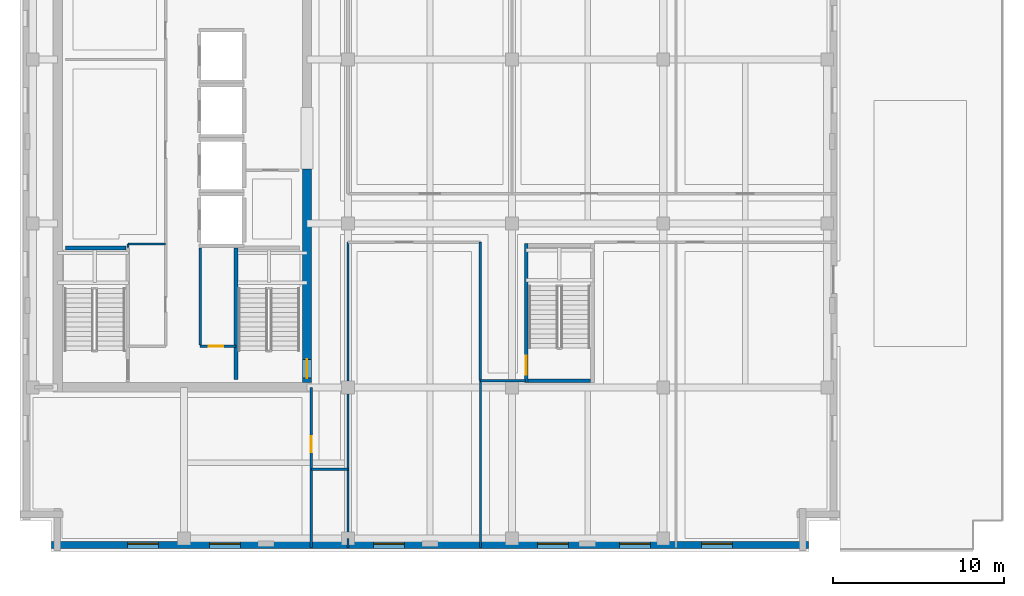
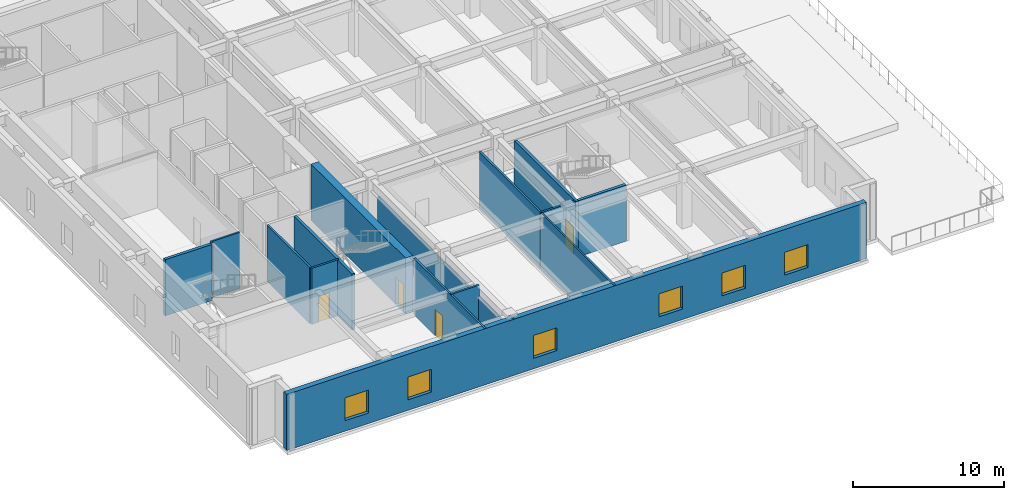
# One storey, part 3 of 11: 17 walls, 6 windows, 4 doors, 10 openings.
"""IFC4 building model written with IfcOpenShell, lengths in metres."""

from ifc_helpers import new_model, si_unit, direction, frame, frame_2d, origin, place, context, subcontext, project, spatial, rectangle, extrude, material, layer, layer_set, type_object, element, fill, save


model = new_model("IFC4")

# Units and contexts
model_context = context("Model", 3, precision=1e-05, world=origin(), true_north=direction((0.0, 1.0)))
body_context = subcontext(model_context, "Body", "Model", "MODEL_VIEW")
ifc_project = project(units=[si_unit("LENGTHUNIT", "METRE"), si_unit("AREAUNIT", "SQUARE_METRE"), si_unit("VOLUMEUNIT", "CUBIC_METRE"), si_unit("PLANEANGLEUNIT", "RADIAN"), si_unit("MASSUNIT", "GRAM", prefix="KILO")], contexts=[model_context])

# Site, building, storey
site_placement = place(None, origin())
site = spatial("IfcSite", under=ifc_project, at=site_placement, CompositionType="ELEMENT")
building_placement = place(site_placement, origin())
building = spatial("IfcBuilding", under=site, at=building_placement, Name="Norrvale University Quadrangle", CompositionType="ELEMENT")
storey_placement = place(building_placement, frame((0.0, 0.0, 261.0)))
storey = spatial("IfcBuildingStorey", under=building, at=storey_placement, Name="L66", CompositionType="ELEMENT", Elevation=261.0)

# Wall, opening, door
ifc_material_1 = material(Name="Concrete C60/75", Category="concrete")
ifc_layer_1 = layer(ifc_material_1, 0.550048828125, Name="Concrete C60/75")
ifc_layer_set_1 = layer_set([ifc_layer_1], Name="Concrete C60/75")
wall_type_1 = type_object("IfcWallType", Name="Wall Core 550", PredefinedType="SHEAR", material=ifc_layer_set_1)
wall_1_placement = place(storey_placement, frame((16.800048828125, 9.875, 0.0), z_axis=(0.0, 0.0, 1.0), x_axis=(0.0, 1.0, 0.0)))
wall_1 = element("IfcWall", 1, at=wall_1_placement, inside=storey, type_object=wall_type_1, Name="Tower Core Shear Wall L66-E1", PredefinedType="SHEAR", context=body_context, shape_type="SweptSolid", body=[
    extrude(rectangle(XDim=12.52490234375, YDim=0.550048828125, at=frame_2d((6.262451171875, 0.0))), origin(), (0.0, 0.0, 1.0), 4.5400390625),
])
opening_1_placement = place(wall_1_placement, frame((0.264892578125, 0.0, 0.0)))
opening_1 = element("IfcOpeningElement", 2, at=opening_1_placement, cuts=wall_1, Name="Opening D02", PredefinedType="OPENING", context=body_context, shape_type="SweptSolid", body=[
    extrude(rectangle(XDim=1.10009765625, YDim=2.199951171875, at=frame_2d((0.550048828125, 1.10009765625))), frame((0.0, 0.287109375, 0.0), z_axis=(0.0, -1.0, 0.0), x_axis=(1.0, 0.0, 0.0)), (0.0, 0.0, 1.0), 0.573974609375),
])
ifc_material_2 = material(Name="Hollow Steel 350W Fire Door", Category="steel")
door_type_1 = type_object("IfcDoorType", Name="Door Stair Exit 1100x2200", OperationType="NOTDEFINED", PredefinedType="DOOR", material=ifc_material_2)
door_1_placement = place(opening_1_placement, origin())
door_1 = element("IfcDoor", 3, at=door_1_placement, inside=storey, type_object=door_type_1, Name="Door Stair Exit 1100x2200 DR-L66-ST03", OperationType="SINGLE_SWING_LEFT", OverallHeight=2.199951171875, OverallWidth=1.10009765625, PredefinedType="DOOR", context=body_context, shape_type="SweptSolid", body=[
    extrude(rectangle(XDim=1.10009765625, YDim=2.199951171875, at=frame_2d((0.550048828125, 1.10009765625))), frame((0.0, 0.02490234375, 0.0), z_axis=(0.0, -1.0, 0.0), x_axis=(1.0, 0.0, 0.0)), (0.0, 0.0, 1.0), 0.050048828125),
])
fill(opening_1, door_1)

# Walls
ifc_material_3 = material(Name="Standard Academic Gypsum Partition")
ifc_layer_2 = layer(ifc_material_3, 0.125, Name="Standard Academic Gypsum Partition")
ifc_layer_set_2 = layer_set([ifc_layer_2], Name="Standard Academic Gypsum Partition")
wall_type_2 = type_object("IfcWallType", Name="Wall Gypsum Academic 125", PredefinedType="PARTITIONING", material=ifc_layer_set_2)
wall_2_placement = place(storey_placement, frame((6.320068359375, 17.800048828125, 0.0), z_axis=(0.0, 0.0, 1.0), x_axis=(0.0, 1.0, 0.0)))
element("IfcWall", 4, at=wall_2_placement, inside=storey, type_object=wall_type_2, Name="Interior Partition WL-L66-REC-L1", PredefinedType="PARTITIONING", context=body_context, shape_type="SweptSolid", body=[
    extrude(rectangle(XDim=0.199951171875, YDim=0.125, at=frame_2d((0.10009765625, 0.0))), origin(), (0.0, 0.0, 1.0), 4.5400390625),
])
wall_3_placement = place(storey_placement, frame((6.320068359375, 18.0, 0.0), z_axis=(0.0, 0.0, 1.0), x_axis=(1.0, 0.0, 0.0)))
element("IfcWall", 5, at=wall_3_placement, inside=storey, type_object=wall_type_2, Name="Interior Partition WL-L66-REC-L2", PredefinedType="PARTITIONING", context=body_context, shape_type="SweptSolid", body=[
    extrude(rectangle(XDim=2.199951171875, YDim=0.125, at=frame_2d((1.10009765625, 0.0))), origin(), (0.0, 0.0, 1.0), 4.5400390625),
])
wall_4_placement = place(storey_placement, frame((19.199951171875, 0.219970703125, 0.0), z_axis=(0.0, 0.0, 1.0), x_axis=(0.0, 1.0, 0.0)))
element("IfcWall", 6, at=wall_4_placement, inside=storey, type_object=wall_type_2, Name="Interior Partition WL-L66-SE-W0", PredefinedType="PARTITIONING", context=body_context, shape_type="SweptSolid", body=[
    extrude(rectangle(XDim=0.530029296875, YDim=0.125, at=frame_2d((0.26513671875, 0.0))), origin(), (0.0, 0.0, 1.0), 4.5400390625),
])
wall_5_placement = place(storey_placement, frame((19.199951171875, 0.75, 0.0), z_axis=(0.0, 0.0, 1.0), x_axis=(0.0, 1.0, 0.0)))
element("IfcWall", 7, at=wall_5_placement, inside=storey, type_object=wall_type_2, Name="Interior Partition WL-L66-SE-W0-B2", PredefinedType="PARTITIONING", context=body_context, shape_type="SweptSolid", body=[
    extrude(rectangle(XDim=17.35009765625, YDim=0.125, at=frame_2d((8.675048828125, 0.0))), origin(), (0.0, 0.0, 1.0), 3.6279296875),
])
wall_6_placement = place(storey_placement, frame((26.949951171875, 0.219970703125, 0.0), z_axis=(0.0, 0.0, 1.0), x_axis=(0.0, 1.0, 0.0)))
element("IfcWall", 8, at=wall_6_placement, inside=storey, type_object=wall_type_2, Name="Interior Partition WL-L66-SEP1A", PredefinedType="PARTITIONING", context=body_context, shape_type="SweptSolid", body=[
    extrude(rectangle(XDim=9.780029296875, YDim=0.125, at=frame_2d((4.89013671875, 0.0))), origin(), (0.0, 0.0, 1.0), 4.5400390625),
])

# Wall, opening, door
ifc_material_4 = material(Name="Fire-Rated Gypsum Stud Partition")
ifc_layer_3 = layer(ifc_material_4, 0.14990234375, Name="Fire-Rated Gypsum Stud Partition")
ifc_layer_set_3 = layer_set([ifc_layer_3], Name="Fire-Rated Gypsum Stud Partition")
wall_type_3 = type_object("IfcWallType", Name="Wall Gypsum Corridor 150", PredefinedType="PARTITIONING", material=ifc_layer_set_3)
wall_7_placement = place(storey_placement, frame((10.550048828125, 12.02001953125, 0.0), z_axis=(0.0, 0.0, 1.0), x_axis=(1.0, 0.0, 0.0)))
wall_7 = element("IfcWall", 9, at=wall_7_placement, inside=storey, type_object=wall_type_3, Name="Interior Partition WL-L66-SC-NR", PredefinedType="PARTITIONING", context=body_context, shape_type="SweptSolid", body=[
    extrude(rectangle(XDim=2.079833984375, YDim=0.14990234375, at=frame_2d((1.0400390625, 0.0))), origin(), (0.0, 0.0, 1.0), 4.5400390625),
])
opening_2_placement = place(wall_7_placement, frame((0.5, 0.0, 0.0)))
opening_2 = element("IfcOpeningElement", 10, at=opening_2_placement, cuts=wall_7, Name="Opening D10", PredefinedType="OPENING", context=body_context, shape_type="SweptSolid", body=[
    extrude(rectangle(XDim=0.85009765625, YDim=2.10009765625, at=frame_2d((0.425048828125, 1.050048828125))), frame((0.0, 0.0869140625, 0.0), z_axis=(0.0, -1.0, 0.0), x_axis=(1.0, 0.0, 0.0)), (0.0, 0.0, 1.0), 0.173828125),
])
ifc_material_5 = material(Name="Hollow Steel 350W Riser Fire Door", Category="steel")
door_type_2 = type_object("IfcDoorType", Name="Door Riser 850x2100", OperationType="NOTDEFINED", PredefinedType="DOOR", material=ifc_material_5)
door_2_placement = place(opening_2_placement, origin())
door_2 = element("IfcDoor", 11, at=door_2_placement, inside=storey, type_object=door_type_2, Name="Door Riser 850x2100 DR-L66-IDF", OperationType="SINGLE_SWING_RIGHT", OverallHeight=2.10009765625, OverallWidth=0.85009765625, PredefinedType="DOOR", context=body_context, shape_type="SweptSolid", body=[
    extrude(rectangle(XDim=0.85009765625, YDim=2.10009765625, at=frame_2d((0.425048828125, 1.050048828125))), frame((0.0, 0.02490234375, 0.0), z_axis=(0.0, -1.0, 0.0), x_axis=(1.0, 0.0, 0.0)), (0.0, 0.0, 1.0), 0.050048828125),
])
fill(opening_2, door_2)

# Walls
wall_8_placement = place(storey_placement, frame((10.550048828125, 12.094970703125, 0.0), z_axis=(0.0, 0.0, 1.0), x_axis=(0.0, 1.0, 0.0)))
element("IfcWall", 12, at=wall_8_placement, inside=storey, type_object=wall_type_3, Name="Interior Partition WL-L66-SC-WR", PredefinedType="PARTITIONING", context=body_context, shape_type="SweptSolid", body=[
    extrude(rectangle(XDim=5.679931640625, YDim=0.14990234375, at=frame_2d((2.83984375, 0.0))), origin(), (0.0, 0.0, 1.0), 4.5400390625),
])
wall_9_placement = place(storey_placement, frame((17.050048828125, 4.800048828125, 0.0), z_axis=(0.0, 0.0, 1.0), x_axis=(1.0, 0.0, 0.0)))
element("IfcWall", 13, at=wall_9_placement, inside=storey, type_object=wall_type_3, Name="Interior Partition WL-L66-CSP-S", PredefinedType="PARTITIONING", context=body_context, shape_type="SweptSolid", body=[
    extrude(rectangle(XDim=2.14990234375, YDim=0.14990234375, at=frame_2d((1.074951171875, 0.0))), origin(), (0.0, 0.0, 1.0), 4.5400390625),
])

# Wall, opening, door
wall_10_placement = place(storey_placement, frame((17.050048828125, 0.219970703125, 0.0), z_axis=(0.0, 0.0, 1.0), x_axis=(0.0, 1.0, 0.0)))
wall_10 = element("IfcWall", 14, at=wall_10_placement, inside=storey, type_object=wall_type_3, Name="Interior Partition WL-L66-SW-E", PredefinedType="PARTITIONING", context=body_context, shape_type="SweptSolid", body=[
    extrude(rectangle(XDim=9.380126953125, YDim=0.14990234375, at=frame_2d((4.68994140625, 0.0))), origin(), (0.0, 0.0, 1.0), 4.5400390625),
])
opening_3_placement = place(wall_10_placement, frame((5.580078125, 0.0, 0.0)))
opening_3 = element("IfcOpeningElement", 15, at=opening_3_placement, cuts=wall_10, Name="Opening D07", PredefinedType="OPENING", context=body_context, shape_type="SweptSolid", body=[
    extrude(rectangle(XDim=0.949951171875, YDim=2.14990234375, at=frame_2d((0.47509765625, 1.074951171875))), frame((0.0, 0.0869140625, 0.0), z_axis=(0.0, -1.0, 0.0), x_axis=(1.0, 0.0, 0.0)), (0.0, 0.0, 1.0), 0.173828125),
])
ifc_material_6 = material(Name="Solid-Core Maple Door", Category="wood")
door_type_3 = type_object("IfcDoorType", Name="Door Office 950x2150", OperationType="NOTDEFINED", PredefinedType="DOOR", material=ifc_material_6)
door_3_placement = place(opening_3_placement, origin())
door_3 = element("IfcDoor", 16, at=door_3_placement, inside=storey, type_object=door_type_3, Name="Door Office 950x2150 DR-L66-SW1", OperationType="SINGLE_SWING_LEFT", OverallHeight=2.14990234375, OverallWidth=0.949951171875, PredefinedType="DOOR", context=body_context, shape_type="SweptSolid", body=[
    extrude(rectangle(XDim=0.949951171875, YDim=2.14990234375, at=frame_2d((0.47509765625, 1.074951171875))), frame((0.0, 0.02490234375, 0.0), z_axis=(0.0, -1.0, 0.0), x_axis=(1.0, 0.0, 0.0)), (0.0, 0.0, 1.0), 0.050048828125),
])
fill(opening_3, door_3)

# Walls
wall_11_placement = place(storey_placement, frame((26.949951171875, 10.0, 0.0), z_axis=(0.0, 0.0, 1.0), x_axis=(0.0, 1.0, 0.0)))
element("IfcWall", 17, at=wall_11_placement, inside=storey, type_object=wall_type_3, Name="Interior Partition WL-L66-SEP1B", PredefinedType="PARTITIONING", context=body_context, shape_type="SweptSolid", body=[
    extrude(rectangle(XDim=8.10009765625, YDim=0.14990234375, at=frame_2d((4.050048828125, 0.0))), origin(), (0.0, 0.0, 1.0), 4.5400390625),
])
wall_12_placement = place(storey_placement, frame((26.949951171875, 10.0, 0.0), z_axis=(0.0, 0.0, 1.0), x_axis=(1.0, 0.0, 0.0)))
element("IfcWall", 18, at=wall_12_placement, inside=storey, type_object=wall_type_3, Name="Interior Partition WL-L66-SEP1C", PredefinedType="PARTITIONING", context=body_context, shape_type="SweptSolid", body=[
    extrude(rectangle(XDim=2.630126953125, YDim=0.14990234375, at=frame_2d((1.31494140625, 0.0))), origin(), (0.0, 0.0, 1.0), 4.5400390625),
])

# Wall, openings, windows
ifc_material_7 = material(Name="Red Manganese Brick Masonry", Category="masonry")
ifc_layer_4 = layer(ifc_material_7, 0.39990234375, Name="Red Manganese Brick Masonry")
ifc_layer_set_4 = layer_set([ifc_layer_4], Name="Red Manganese Brick Masonry")
wall_type_4 = type_object("IfcWallType", Name="Wall Red Brick 400", PredefinedType="SOLIDWALL", material=ifc_layer_set_4)
wall_13_placement = place(storey_placement, frame((1.840087890625, 0.3798828125, 0.0), z_axis=(0.0, 0.0, 1.0), x_axis=(1.0, 0.0, 0.0)))
wall_13 = element("IfcWall", 19, at=wall_13_placement, inside=storey, type_object=wall_type_4, Name="Exterior Brick Facade Wall L66-01.1", PredefinedType="SOLIDWALL", context=body_context, shape_type="SweptSolid", body=[
    extrude(rectangle(XDim=44.31982421875, YDim=0.39990234375, at=frame_2d((22.159912109375, 0.0))), origin(), (0.0, 0.0, 1.0), 4.5400390625),
])
opening_4_placement = place(wall_13_placement, frame((4.4599609375, 0.0, 0.85009765625)))
opening_4 = element("IfcOpeningElement", 20, at=opening_4_placement, cuts=wall_13, Name="Opening W01", PredefinedType="OPENING", context=body_context, shape_type="SweptSolid", body=[
    extrude(rectangle(XDim=1.800048828125, YDim=1.85009765625, at=frame_2d((0.89990234375, 0.925048828125))), frame((0.0, 0.2119140625, 0.0), z_axis=(0.0, -1.0, 0.0), x_axis=(1.0, 0.0, 0.0)), (0.0, 0.0, 1.0), 0.423828125),
])
opening_5_placement = place(wall_13_placement, frame((9.260009765625, 0.0, 0.85009765625)))
opening_5 = element("IfcOpeningElement", 21, at=opening_5_placement, cuts=wall_13, Name="Opening W01", PredefinedType="OPENING", context=body_context, shape_type="SweptSolid", body=[
    extrude(rectangle(XDim=1.800048828125, YDim=1.85009765625, at=frame_2d((0.89990234375, 0.925048828125))), frame((0.0, 0.2119140625, 0.0), z_axis=(0.0, -1.0, 0.0), x_axis=(1.0, 0.0, 0.0)), (0.0, 0.0, 1.0), 0.423828125),
])
opening_6_placement = place(wall_13_placement, frame((18.860107421875, 0.0, 0.85009765625)))
opening_6 = element("IfcOpeningElement", 22, at=opening_6_placement, cuts=wall_13, Name="Opening W01", PredefinedType="OPENING", context=body_context, shape_type="SweptSolid", body=[
    extrude(rectangle(XDim=1.800048828125, YDim=1.85009765625, at=frame_2d((0.89990234375, 0.925048828125))), frame((0.0, 0.2119140625, 0.0), z_axis=(0.0, -1.0, 0.0), x_axis=(1.0, 0.0, 0.0)), (0.0, 0.0, 1.0), 0.423828125),
])
opening_7_placement = place(wall_13_placement, frame((28.4599609375, 0.0, 0.85009765625)))
opening_7 = element("IfcOpeningElement", 23, at=opening_7_placement, cuts=wall_13, Name="Opening W01", PredefinedType="OPENING", context=body_context, shape_type="SweptSolid", body=[
    extrude(rectangle(XDim=1.800048828125, YDim=1.85009765625, at=frame_2d((0.89990234375, 0.925048828125))), frame((0.0, 0.2119140625, 0.0), z_axis=(0.0, -1.0, 0.0), x_axis=(1.0, 0.0, 0.0)), (0.0, 0.0, 1.0), 0.423828125),
])
opening_8_placement = place(wall_13_placement, frame((33.260009765625, 0.0, 0.85009765625)))
opening_8 = element("IfcOpeningElement", 24, at=opening_8_placement, cuts=wall_13, Name="Opening W01", PredefinedType="OPENING", context=body_context, shape_type="SweptSolid", body=[
    extrude(rectangle(XDim=1.800048828125, YDim=1.85009765625, at=frame_2d((0.89990234375, 0.925048828125))), frame((0.0, 0.2119140625, 0.0), z_axis=(0.0, -1.0, 0.0), x_axis=(1.0, 0.0, 0.0)), (0.0, 0.0, 1.0), 0.423828125),
])
opening_9_placement = place(wall_13_placement, frame((38.06005859375, 0.0, 0.85009765625)))
opening_9 = element("IfcOpeningElement", 25, at=opening_9_placement, cuts=wall_13, Name="Opening W01", PredefinedType="OPENING", context=body_context, shape_type="SweptSolid", body=[
    extrude(rectangle(XDim=1.800048828125, YDim=1.85009765625, at=frame_2d((0.89990234375, 0.925048828125))), frame((0.0, 0.2119140625, 0.0), z_axis=(0.0, -1.0, 0.0), x_axis=(1.0, 0.0, 0.0)), (0.0, 0.0, 1.0), 0.423828125),
])
ifc_material_8 = material(Name="Triple Low-E Argon Glazing", Category="glass")
window_type = type_object("IfcWindowType", Name="Window Academic 1800x2300", PartitioningType="DOUBLE_PANEL_VERTICAL", PredefinedType="WINDOW", material=ifc_material_8)
window_1_placement = place(opening_4_placement, origin())
window_1 = element("IfcWindow", 26, at=window_1_placement, inside=storey, type_object=window_type, Name="Window Academic 1800x2300 WIN-L66-E01-1-01", OverallHeight=1.85009765625, OverallWidth=1.800048828125, PartitioningType="DOUBLE_PANEL_VERTICAL", PredefinedType="WINDOW", context=body_context, shape_type="SweptSolid", body=[
    extrude(rectangle(XDim=1.800048828125, YDim=1.85009765625, at=frame_2d((0.89990234375, 0.925048828125))), frame((0.0, 0.110107421875, 0.0), z_axis=(0.0, -1.0, 0.0), x_axis=(1.0, 0.0, 0.0)), (0.0, 0.0, 1.0), 0.06005859375),
])
fill(opening_4, window_1)
window_2_placement = place(opening_5_placement, origin())
window_2 = element("IfcWindow", 27, at=window_2_placement, inside=storey, type_object=window_type, Name="Window Academic 1800x2300 WIN-L66-E01-1-02", OverallHeight=1.85009765625, OverallWidth=1.800048828125, PartitioningType="DOUBLE_PANEL_VERTICAL", PredefinedType="WINDOW", context=body_context, shape_type="SweptSolid", body=[
    extrude(rectangle(XDim=1.800048828125, YDim=1.85009765625, at=frame_2d((0.89990234375, 0.925048828125))), frame((0.0, 0.110107421875, 0.0), z_axis=(0.0, -1.0, 0.0), x_axis=(1.0, 0.0, 0.0)), (0.0, 0.0, 1.0), 0.06005859375),
])
fill(opening_5, window_2)
window_3_placement = place(opening_6_placement, origin())
window_3 = element("IfcWindow", 28, at=window_3_placement, inside=storey, type_object=window_type, Name="Window Academic 1800x2300 WIN-L66-E01-1-03", OverallHeight=1.85009765625, OverallWidth=1.800048828125, PartitioningType="DOUBLE_PANEL_VERTICAL", PredefinedType="WINDOW", context=body_context, shape_type="SweptSolid", body=[
    extrude(rectangle(XDim=1.800048828125, YDim=1.85009765625, at=frame_2d((0.89990234375, 0.925048828125))), frame((0.0, 0.110107421875, 0.0), z_axis=(0.0, -1.0, 0.0), x_axis=(1.0, 0.0, 0.0)), (0.0, 0.0, 1.0), 0.06005859375),
])
fill(opening_6, window_3)
window_4_placement = place(opening_7_placement, origin())
window_4 = element("IfcWindow", 29, at=window_4_placement, inside=storey, type_object=window_type, Name="Window Academic 1800x2300 WIN-L66-E01-1-04", OverallHeight=1.85009765625, OverallWidth=1.800048828125, PartitioningType="DOUBLE_PANEL_VERTICAL", PredefinedType="WINDOW", context=body_context, shape_type="SweptSolid", body=[
    extrude(rectangle(XDim=1.800048828125, YDim=1.85009765625, at=frame_2d((0.89990234375, 0.925048828125))), frame((0.0, 0.110107421875, 0.0), z_axis=(0.0, -1.0, 0.0), x_axis=(1.0, 0.0, 0.0)), (0.0, 0.0, 1.0), 0.06005859375),
])
fill(opening_7, window_4)
window_5_placement = place(opening_8_placement, origin())
window_5 = element("IfcWindow", 30, at=window_5_placement, inside=storey, type_object=window_type, Name="Window Academic 1800x2300 WIN-L66-E01-1-05", OverallHeight=1.85009765625, OverallWidth=1.800048828125, PartitioningType="DOUBLE_PANEL_VERTICAL", PredefinedType="WINDOW", context=body_context, shape_type="SweptSolid", body=[
    extrude(rectangle(XDim=1.800048828125, YDim=1.85009765625, at=frame_2d((0.89990234375, 0.925048828125))), frame((0.0, 0.110107421875, 0.0), z_axis=(0.0, -1.0, 0.0), x_axis=(1.0, 0.0, 0.0)), (0.0, 0.0, 1.0), 0.06005859375),
])
fill(opening_8, window_5)
window_6_placement = place(opening_9_placement, origin())
window_6 = element("IfcWindow", 31, at=window_6_placement, inside=storey, type_object=window_type, Name="Window Academic 1800x2300 WIN-L66-E01-1-06", OverallHeight=1.85009765625, OverallWidth=1.800048828125, PartitioningType="DOUBLE_PANEL_VERTICAL", PredefinedType="WINDOW", context=body_context, shape_type="SweptSolid", body=[
    extrude(rectangle(XDim=1.800048828125, YDim=1.85009765625, at=frame_2d((0.89990234375, 0.925048828125))), frame((0.0, 0.110107421875, 0.0), z_axis=(0.0, -1.0, 0.0), x_axis=(1.0, 0.0, 0.0)), (0.0, 0.0, 1.0), 0.06005859375),
])
fill(opening_9, window_6)

# Walls
ifc_material_9 = material(Name="Concrete Blockwork 20 MPa Fire Shaft", Category="masonry")
ifc_layer_5 = layer(ifc_material_9, 0.219970703125, Name="Concrete Blockwork 20 MPa Fire Shaft")
ifc_layer_set_5 = layer_set([ifc_layer_5], Name="Concrete Blockwork 20 MPa Fire Shaft")
wall_type_5 = type_object("IfcWallType", Name="Wall Shaft 220", PredefinedType="SOLIDWALL", material=ifc_layer_set_5)
wall_14_placement = place(storey_placement, frame((2.64990234375, 17.760009765625, 0.0), z_axis=(0.0, 0.0, 1.0), x_axis=(1.0, 0.0, 0.0)))
element("IfcWall", 32, at=wall_14_placement, inside=storey, type_object=wall_type_5, Name="Stair ST-01 North Shaft Wall L66", PredefinedType="SOLIDWALL", context=body_context, shape_type="SweptSolid", body=[
    extrude(rectangle(XDim=3.550048828125, YDim=0.219970703125, at=frame_2d((1.77490234375, 0.0))), origin(), (0.0, 0.0, 1.0), 4.5400390625),
])
wall_15_placement = place(storey_placement, frame((12.639892578125, 10.050048828125, 0.0), z_axis=(0.0, 0.0, 1.0), x_axis=(0.0, 1.0, 0.0)))
element("IfcWall", 33, at=wall_15_placement, inside=storey, type_object=wall_type_5, Name="Stair ST-03 West Shaft Wall L66", PredefinedType="SOLIDWALL", context=body_context, shape_type="SweptSolid", body=[
    extrude(rectangle(XDim=7.7099609375, YDim=0.219970703125, at=frame_2d((3.85498046875, 0.0))), origin(), (0.0, 0.0, 1.0), 4.5400390625),
])
wall_16_placement = place(storey_placement, frame((29.75, 9.989990234375, 0.0), z_axis=(0.0, 0.0, 1.0), x_axis=(1.0, 0.0, 0.0)))
element("IfcWall", 34, at=wall_16_placement, inside=storey, type_object=wall_type_5, Name="Stair ST-04 South Shaft Wall L66", PredefinedType="SOLIDWALL", context=body_context, shape_type="SweptSolid", body=[
    extrude(rectangle(XDim=3.64990234375, YDim=0.219970703125, at=frame_2d((1.824951171875, 0.0))), origin(), (0.0, 0.0, 1.0), 4.5400390625),
])

# Wall, opening, door
wall_17_placement = place(storey_placement, frame((29.639892578125, 9.8798828125, 0.0), z_axis=(0.0, 0.0, 1.0), x_axis=(0.0, 1.0, 0.0)))
wall_17 = element("IfcWall", 35, at=wall_17_placement, inside=storey, type_object=wall_type_5, Name="Stair ST-04 West Shaft Wall L66", PredefinedType="SOLIDWALL", context=body_context, shape_type="SweptSolid", body=[
    extrude(rectangle(XDim=8.14013671875, YDim=0.219970703125, at=frame_2d((4.070068359375, 0.0))), origin(), (0.0, 0.0, 1.0), 4.5400390625),
])
opening_10_placement = place(wall_17_placement, frame((0.469970703125, 0.0, 0.0)))
opening_10 = element("IfcOpeningElement", 36, at=opening_10_placement, cuts=wall_17, Name="Opening D02", PredefinedType="OPENING", context=body_context, shape_type="SweptSolid", body=[
    extrude(rectangle(XDim=1.10009765625, YDim=2.199951171875, at=frame_2d((0.550048828125, 1.10009765625))), frame((0.0, 0.1220703125, 0.0), z_axis=(0.0, -1.0, 0.0), x_axis=(1.0, 0.0, 0.0)), (0.0, 0.0, 1.0), 0.243896484375),
])
door_4_placement = place(opening_10_placement, frame((1.10009765625, 0.0, 0.0), z_axis=(0.0, 0.0, 1.0), x_axis=(-1.0, 0.0, 0.0)))
door_4 = element("IfcDoor", 37, at=door_4_placement, inside=storey, type_object=door_type_1, Name="Door Stair Exit 1100x2200 DR-L66-ST04", OperationType="SINGLE_SWING_RIGHT", OverallHeight=2.199951171875, OverallWidth=1.10009765625, PredefinedType="DOOR", context=body_context, shape_type="SweptSolid", body=[
    extrude(rectangle(XDim=1.10009765625, YDim=2.199951171875, at=frame_2d((0.550048828125, 1.10009765625))), frame((0.0, 0.02490234375, 0.0), z_axis=(0.0, -1.0, 0.0), x_axis=(1.0, 0.0, 0.0)), (0.0, 0.0, 1.0), 0.050048828125),
])
fill(opening_10, door_4)

save(model, "model.ifc")
